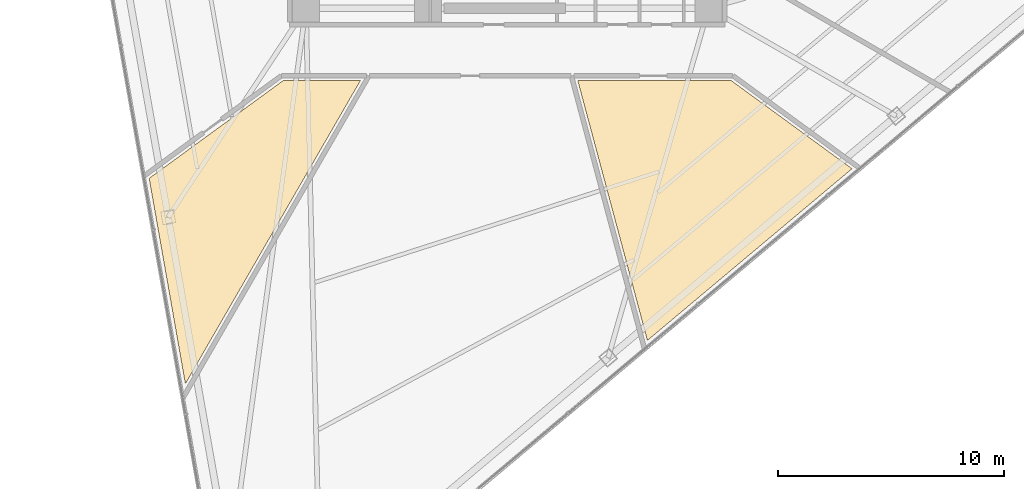
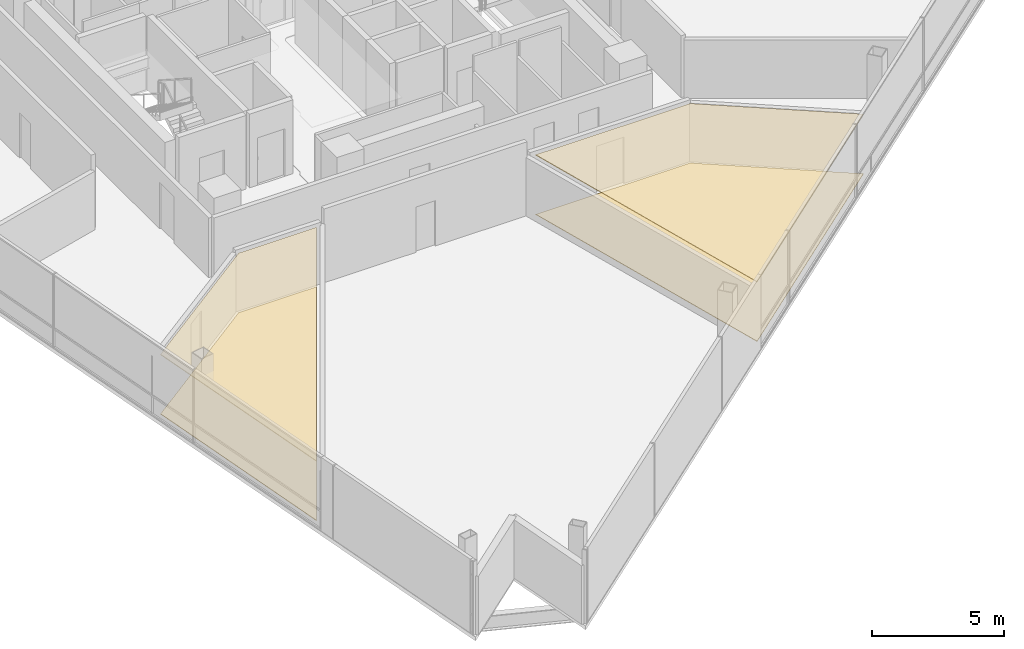
# One storey, part 13 of 15: 4 coverings.
"""IFC4 building model written with IfcOpenShell, lengths in metres."""

from ifc_helpers import new_model, si_unit, direction, frame, origin, place, context, subcontext, project, spatial, polyline, outline, extrude, material, layer, layer_set, type_object, element, save


model = new_model("IFC4")

# Units and contexts
model_context = context("Model", 3, precision=1e-05, world=origin(), true_north=direction((0.0, 1.0)))
body_context = subcontext(model_context, "Body", "Model", "MODEL_VIEW")
ifc_project = project(units=[si_unit("LENGTHUNIT", "METRE"), si_unit("AREAUNIT", "SQUARE_METRE"), si_unit("VOLUMEUNIT", "CUBIC_METRE"), si_unit("PLANEANGLEUNIT", "RADIAN"), si_unit("MASSUNIT", "GRAM", prefix="KILO")], contexts=[model_context])

# Site, building, storey
site_placement = place(None, origin())
site = spatial("IfcSite", under=ifc_project, at=site_placement, CompositionType="ELEMENT")
building_placement = place(site_placement, origin())
building = spatial("IfcBuilding", under=site, at=building_placement, Name="Tharavind Bronze Gate", CompositionType="ELEMENT")
storey_placement = place(building_placement, frame((0.0, 0.0, 177.699951171875)))
storey = spatial("IfcBuildingStorey", under=building, at=storey_placement, Name="L45", CompositionType="ELEMENT", Elevation=177.699951171875)

# Coverings
ifc_material_1 = material(Name="Perforated Bronze Acoustic Panel", Category="bronze")
ifc_layer_1 = layer(ifc_material_1, 0.044921875)
ifc_layer_set_1 = layer_set([ifc_layer_1], Name="Perforated Bronze Acoustic Panel")
covering_type_1 = type_object("IfcCoveringType", Name="ACOUSTIC BRONZE BAFFLE CEILING", PredefinedType="CEILING", material=ifc_layer_set_1)
covering_1_placement = place(storey_placement, frame((0.0, 0.0, 2.75)))
element("IfcCovering", 1, at=covering_1_placement, inside=storey, type_object=covering_type_1, Name="L45-RM-07 suspended ceiling", PredefinedType="CEILING", context=body_context, shape_type="SweptSolid", body=[
    extrude(outline(polyline([(6.19921875, -22.2861328125), (15.24560546875, -14.6953125), (9.906494140625, -10.800048828125), (3.12158203125, -10.800048828125), (6.19921875, -22.2861328125)])), origin(), (0.0, 0.0, 1.0), 0.03515625),
])
ifc_material_2 = material(Name="Engineered Oak & Carpet Tile", Category="wood")
ifc_layer_2 = layer(ifc_material_2, 0.02490234375)
ifc_layer_set_2 = layer_set([ifc_layer_2], Name="Engineered Oak & Carpet Tile")
covering_type_2 = type_object("IfcCoveringType", Name="ENGINEERED TIMBER FLOORING", PredefinedType="FLOORING", material=ifc_layer_set_2)
covering_2_placement = place(storey_placement, origin())
element("IfcCovering", 2, at=covering_2_placement, inside=storey, type_object=covering_type_2, Name="L45-RM-05 floor finish", PredefinedType="FLOORING", context=body_context, shape_type="SweptSolid", body=[
    extrude(outline(polyline([(-14.22705078125, -24.201904296875), (-6.489501953125, -10.800048828125), (-9.906494140625, -10.800048828125), (-15.828369140625, -15.12060546875), (-14.22705078125, -24.201904296875)])), origin(), (0.0, 0.0, 1.0), 0.025146484375),
])
covering_3_placement = place(storey_placement, origin())
element("IfcCovering", 3, at=covering_3_placement, inside=storey, type_object=covering_type_2, Name="L45-RM-07 floor finish", PredefinedType="FLOORING", context=body_context, shape_type="SweptSolid", body=[
    extrude(outline(polyline([(6.19921875, -22.2861328125), (15.24560546875, -14.6953125), (9.906494140625, -10.800048828125), (3.12158203125, -10.800048828125), (6.19921875, -22.2861328125)])), origin(), (0.0, 0.0, 1.0), 0.025146484375),
])
ifc_material_3 = material(Name="Acoustic Gypsum Board", Category="gypsum")
ifc_layer_3 = layer(ifc_material_3, 0.030029296875)
ifc_layer_set_3 = layer_set([ifc_layer_3], Name="Acoustic Gypsum Board")
covering_type_3 = type_object("IfcCoveringType", Name="GYPSUM SUSPENDED CEILING", PredefinedType="CEILING", material=ifc_layer_set_3)
covering_4_placement = place(storey_placement, frame((0.0, 0.0, 2.75)))
element("IfcCovering", 4, at=covering_4_placement, inside=storey, type_object=covering_type_3, Name="L45-RM-05 suspended ceiling", PredefinedType="CEILING", context=body_context, shape_type="SweptSolid", body=[
    extrude(outline(polyline([(-14.22705078125, -24.201904296875), (-6.489501953125, -10.800048828125), (-9.906494140625, -10.800048828125), (-15.828369140625, -15.12060546875), (-14.22705078125, -24.201904296875)])), origin(), (0.0, 0.0, 1.0), 0.03515625),
])

save(model, "model.ifc")
